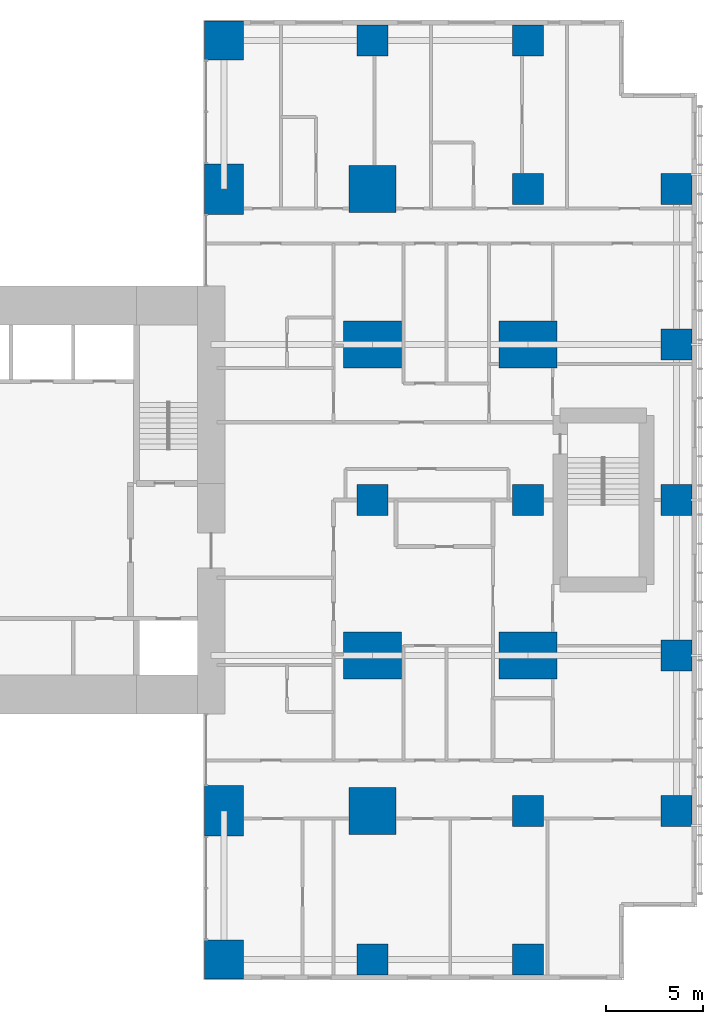
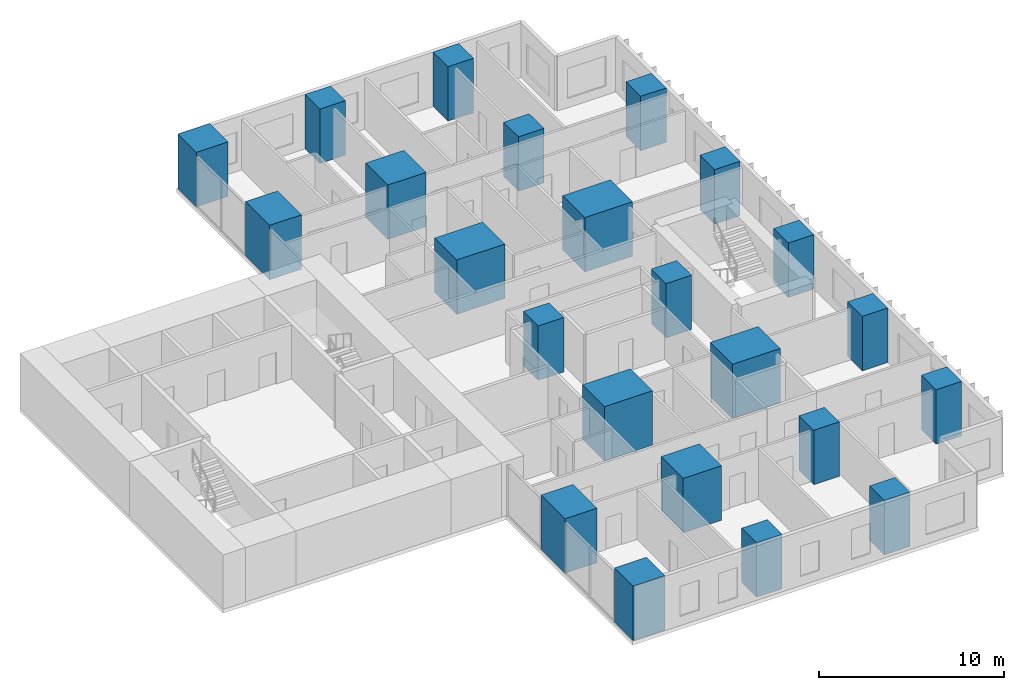
# One storey, part 1 of 12: 23 columns.
"""IFC4 building model written with IfcOpenShell, lengths in metres."""

from ifc_helpers import new_model, si_unit, direction, frame, origin, origin_2d, place, context, subcontext, project, spatial, rectangle, extrude, material, material_profile, profile_set, type_object, element, save


model = new_model("IFC4")

# Units and contexts
model_context = context("Model", 3, precision=1e-05, world=origin(), true_north=direction((0.0, 1.0)))
body_context = subcontext(model_context, "Body", "Model", "MODEL_VIEW")
ifc_project = project(units=[si_unit("LENGTHUNIT", "METRE"), si_unit("AREAUNIT", "SQUARE_METRE"), si_unit("VOLUMEUNIT", "CUBIC_METRE"), si_unit("PLANEANGLEUNIT", "RADIAN"), si_unit("MASSUNIT", "GRAM", prefix="KILO")], contexts=[model_context])

# Site, building, storey
site_placement = place(None, origin())
site = spatial("IfcSite", under=ifc_project, at=site_placement, CompositionType="ELEMENT")
building_placement = place(site_placement, origin())
building = spatial("IfcBuilding", under=site, at=building_placement, Name="Cleftline Residences", CompositionType="ELEMENT")
storey_placement = place(building_placement, frame((0.0, 0.0, 262.800048828125)))
storey = spatial("IfcBuildingStorey", under=building, at=storey_placement, Name="L69", CompositionType="ELEMENT", Elevation=262.800048828125)

# Columns
ifc_material_1 = material(Name="Concrete B70", Category="concrete")
ifc_material_profile_1 = material_profile(ifc_material_1, rectangle(XDim=1.60009765625, YDim=1.60009765625, at=origin_2d()))
ifc_profile_set_1 = profile_set([ifc_material_profile_1], Name="Concrete B70")
column_type_1 = type_object("IfcColumnType", Name="COLUMN RC1600X1600", PredefinedType="COLUMN", material=ifc_profile_set_1)
for number, where, z_axis, x_axis, name in (
    (1, (50.0, 0.35009765625, 0.0), (0.0, 0.0, 1.0), (1.0, 0.0, 0.0), "Column C/9"),
    (2, (50.0, 24.0, 0.0), (0.0, 0.0, 1.0), (1.0, 0.0, 0.0), "Column F/9"),
    (3, (50.0, 47.64990234375, 0.0), (0.0, 0.0, 1.0), (1.0, 0.0, 0.0), "Column J/9"),
    (4, (58.0, 0.35009765625, 0.0), (0.0, 0.0, 1.0), (1.0, 0.0, 0.0), "Column C/10"),
    (5, (58.0, 8.0, 0.0), (0.0, 0.0, 1.0), (1.0, 0.0, 0.0), "Column D/10"),
    (6, (58.0, 24.0, 0.0), (0.0, 0.0, 1.0), (1.0, 0.0, 0.0), "Column F/10"),
    (7, (58.0, 40.0, 0.0), (0.0, 0.0, 1.0), (1.0, 0.0, 0.0), "Column H/10"),
    (8, (58.0, 47.64990234375, 0.0), (0.0, 0.0, 1.0), (1.0, 0.0, 0.0), "Column J/10"),
    (9, (65.64990234375, 8.0, 0.0), (0.0, 0.0, 1.0), (1.0, 0.0, 0.0), "Column D/11"),
    (10, (65.64990234375, 16.0, 0.0), (0.0, 0.0, 1.0), (1.0, 0.0, 0.0), "Column E/11"),
    (11, (65.64990234375, 24.0, 0.0), (0.0, 0.0, 1.0), (1.0, 0.0, 0.0), "Column F/11"),
    (12, (65.64990234375, 32.0, 0.0), (0.0, 0.0, 1.0), (1.0, 0.0, 0.0), "Column G/11"),
    (13, (65.64990234375, 40.0, 0.0), (0.0, 0.0, 1.0), (1.0, 0.0, 0.0), "Column H/11"),
):
    element("IfcColumn", number, at=place(storey_placement, frame(where, z_axis=z_axis, x_axis=x_axis)), inside=storey, type_object=column_type_1, Name=name, PredefinedType="COLUMN", context=body_context, shape_type="SweptSolid", body=[
        extrude(rectangle(XDim=1.60009765625, YDim=1.60009765625, at=origin_2d()), origin(), (0.0, 0.0, 1.0), 3.599853515625),
    ])
ifc_material_2 = material(Name="Concrete B70", Category="concrete")
ifc_material_profile_2 = material_profile(ifc_material_2, rectangle(XDim=2.0, YDim=2.0, at=origin_2d()))
ifc_profile_set_2 = profile_set([ifc_material_profile_2], Name="Concrete B70")
column_type_2 = type_object("IfcColumnType", Name="COLUMN RC2000X2000", PredefinedType="COLUMN", material=ifc_profile_set_2)
for number, where, z_axis, x_axis, name in (
    (14, (42.35009765625, 0.35009765625, 0.0), (0.0, 0.0, 1.0), (1.0, 0.0, 0.0), "Column C/8"),
    (15, (42.35009765625, 47.64990234375, 0.0), (0.0, 0.0, 1.0), (1.0, 0.0, 0.0), "Column J/8"),
):
    element("IfcColumn", number, at=place(storey_placement, frame(where, z_axis=z_axis, x_axis=x_axis)), inside=storey, type_object=column_type_2, Name=name, PredefinedType="COLUMN", context=body_context, shape_type="SweptSolid", body=[
        extrude(rectangle(XDim=2.0, YDim=2.0, at=origin_2d()), origin(), (0.0, 0.0, 1.0), 3.599853515625),
    ])
ifc_material_3 = material(Name="Concrete B70", Category="concrete")
ifc_material_profile_3 = material_profile(ifc_material_3, rectangle(XDim=2.0, YDim=2.60009765625, at=origin_2d()))
ifc_profile_set_3 = profile_set([ifc_material_profile_3], Name="Concrete B70")
column_type_3 = type_object("IfcColumnType", Name="COLUMN RC2000X2600", PredefinedType="COLUMN", material=ifc_profile_set_3)
for number, where, z_axis, x_axis, name in (
    (16, (42.35009765625, 8.0, 0.0), (0.0, 0.0, 1.0), (1.0, 0.0, 0.0), "Column D/8"),
    (17, (42.35009765625, 40.0, 0.0), (0.0, 0.0, 1.0), (1.0, 0.0, 0.0), "Column H/8"),
):
    element("IfcColumn", number, at=place(storey_placement, frame(where, z_axis=z_axis, x_axis=x_axis)), inside=storey, type_object=column_type_3, Name=name, PredefinedType="COLUMN", context=body_context, shape_type="SweptSolid", body=[
        extrude(rectangle(XDim=2.0, YDim=2.60009765625, at=origin_2d()), origin(), (0.0, 0.0, 1.0), 3.599853515625),
    ])
ifc_material_4 = material(Name="Concrete B70", Category="concrete")
ifc_material_profile_4 = material_profile(ifc_material_4, rectangle(XDim=2.39990234375, YDim=2.39990234375, at=origin_2d()))
ifc_profile_set_4 = profile_set([ifc_material_profile_4], Name="Concrete B70")
column_type_4 = type_object("IfcColumnType", Name="COLUMN RC2400X2400", PredefinedType="COLUMN", material=ifc_profile_set_4)
for number, where, z_axis, x_axis, name in (
    (18, (50.0, 8.0, 0.0), (0.0, 0.0, 1.0), (1.0, 0.0, 0.0), "Column D/9"),
    (19, (50.0, 40.0, 0.0), (0.0, 0.0, 1.0), (1.0, 0.0, 0.0), "Column H/9"),
):
    element("IfcColumn", number, at=place(storey_placement, frame(where, z_axis=z_axis, x_axis=x_axis)), inside=storey, type_object=column_type_4, Name=name, PredefinedType="COLUMN", context=body_context, shape_type="SweptSolid", body=[
        extrude(rectangle(XDim=2.39990234375, YDim=2.39990234375, at=origin_2d()), origin(), (0.0, 0.0, 1.0), 3.599853515625),
    ])
ifc_material_5 = material(Name="Concrete B70", Category="concrete")
ifc_material_profile_5 = material_profile(ifc_material_5, rectangle(XDim=3.0, YDim=2.39990234375, at=origin_2d()))
ifc_profile_set_5 = profile_set([ifc_material_profile_5], Name="Concrete B70")
column_type_5 = type_object("IfcColumnType", Name="COLUMN RC3000X2400", PredefinedType="COLUMN", material=ifc_profile_set_5)
for number, where, z_axis, x_axis, name in (
    (20, (50.0, 16.0, 0.0), (0.0, 0.0, 1.0), (1.0, 0.0, 0.0), "Column E/9"),
    (21, (50.0, 32.0, 0.0), (0.0, 0.0, 1.0), (1.0, 0.0, 0.0), "Column G/9"),
    (22, (58.0, 16.0, 0.0), (0.0, 0.0, 1.0), (1.0, 0.0, 0.0), "Column E/10"),
    (23, (58.0, 32.0, 0.0), (0.0, 0.0, 1.0), (1.0, 0.0, 0.0), "Column G/10"),
):
    element("IfcColumn", number, at=place(storey_placement, frame(where, z_axis=z_axis, x_axis=x_axis)), inside=storey, type_object=column_type_5, Name=name, PredefinedType="COLUMN", context=body_context, shape_type="SweptSolid", body=[
        extrude(rectangle(XDim=3.0, YDim=2.39990234375, at=origin_2d()), origin(), (0.0, 0.0, 1.0), 3.599853515625),
    ])

save(model, "model.ifc")
